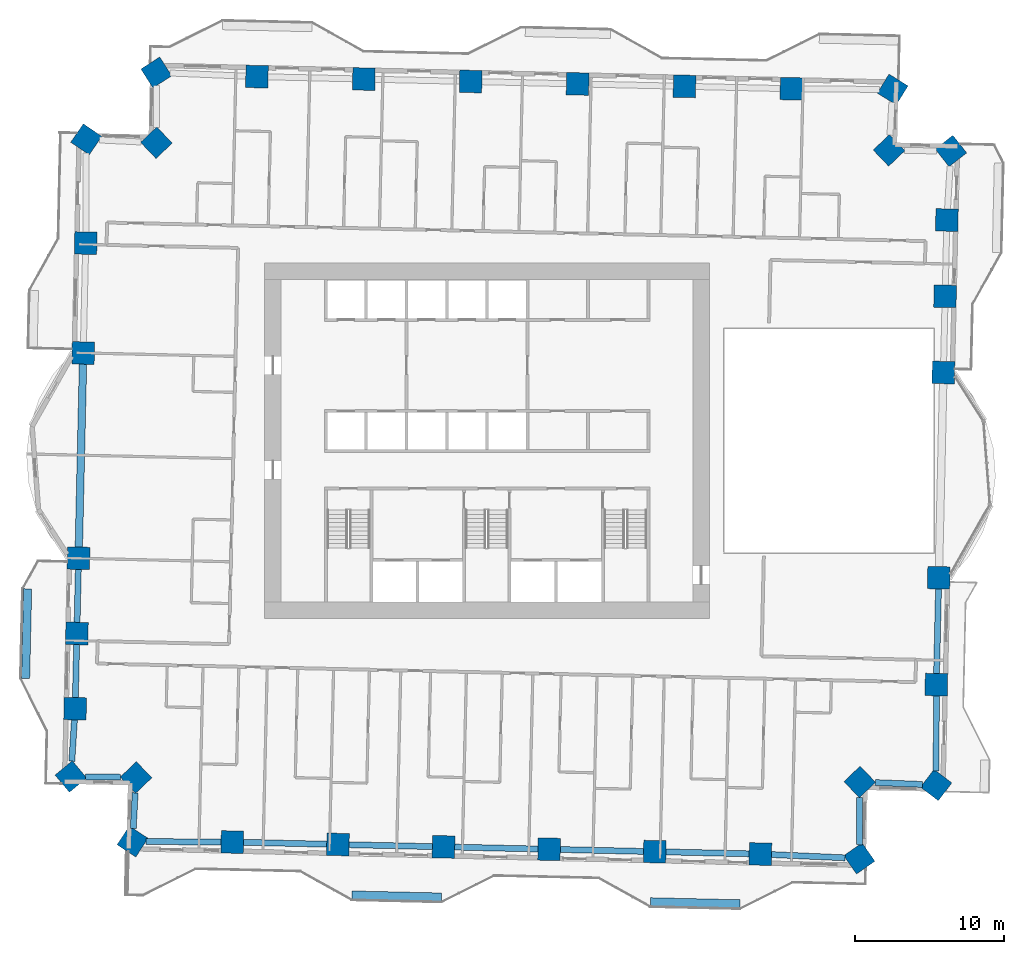
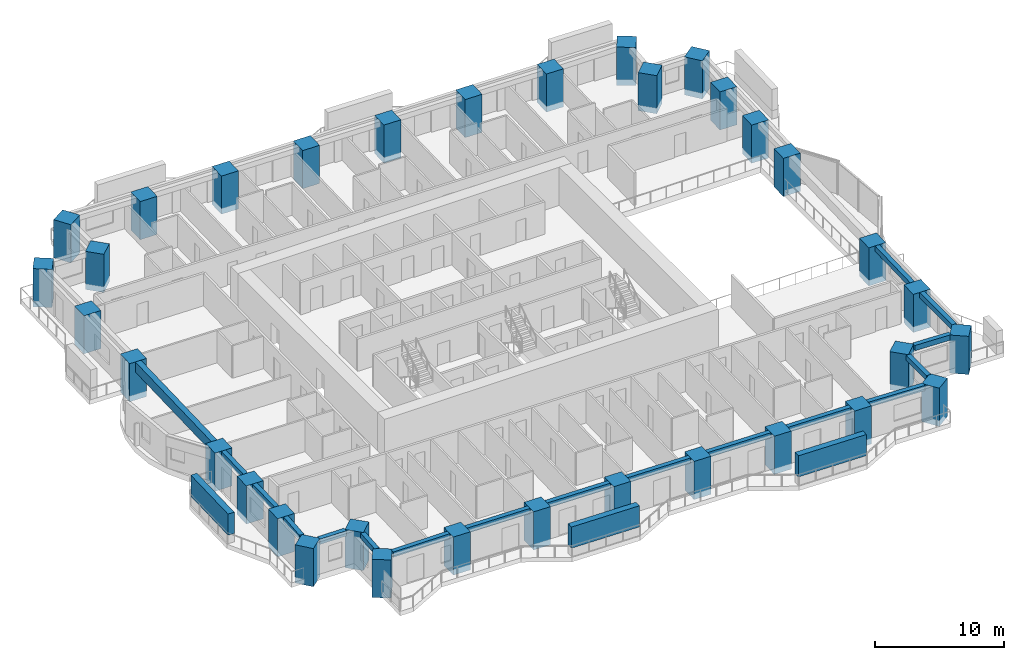
# One storey, part 1 of 18: 34 columns, 17 beams, 3 members.
"""IFC4 building model written with IfcOpenShell, lengths in metres."""

from ifc_helpers import new_model, si_unit, direction, frame, origin, origin_2d, place, context, subcontext, project, spatial, rectangle, extrude, material, material_profile, profile_set, type_object, element, save


model = new_model("IFC4")

# Units and contexts
model_context = context("Model", 3, precision=1e-05, world=origin(), true_north=direction((0.0, 1.0)))
body_context = subcontext(model_context, "Body", "Model", "MODEL_VIEW")
ifc_project = project(units=[si_unit("LENGTHUNIT", "METRE"), si_unit("AREAUNIT", "SQUARE_METRE"), si_unit("VOLUMEUNIT", "CUBIC_METRE"), si_unit("PLANEANGLEUNIT", "RADIAN"), si_unit("MASSUNIT", "GRAM", prefix="KILO")], contexts=[model_context])

# Site, building, storey
site_placement = place(None, origin())
site = spatial("IfcSite", under=ifc_project, at=site_placement, CompositionType="ELEMENT")
building_placement = place(site_placement, origin())
building = spatial("IfcBuilding", under=site, at=building_placement, Name="Mangrove Gate Tower", CompositionType="ELEMENT")
storey_placement = place(building_placement, frame((0.0, 0.0, 56.699951171875)))
storey = spatial("IfcBuildingStorey", under=building, at=storey_placement, Name="L13", CompositionType="ELEMENT", Elevation=56.699951171875)

# Columns
ifc_material_1 = material(Name="Concrete C70/85", Category="concrete")
ifc_material_profile_1 = material_profile(ifc_material_1, rectangle(XDim=1.5, YDim=1.5, at=origin_2d()))
ifc_profile_set_1 = profile_set([ifc_material_profile_1], Name="Concrete C70/85")
column_type = type_object("IfcColumnType", Name="Column RC 1500x1500 C70/85", PredefinedType="COLUMN", material=ifc_profile_set_1)
for number, where, z_axis, x_axis, name in (
    (1, (-27.3662109375, -7.8701171875, -0.550048828125), (0.0, 0.0, 1.0), (-0.022722615033, -0.999741808051, 0.0), "Column L13 W05"),
    (2, (-27.481201171875, -12.909912109375, -0.550048828125), (0.0, 0.0, 1.0), (-0.022712390043, -0.999742040398, 0.0), "Column L13 W06"),
    (3, (-27.59521484375, -17.949951171875, -0.550048828125), (0.0, 0.0, 1.0), (-0.022710139149, -0.999742091532, 0.0), "Column L13 W07"),
    (4, (-27.8837890625, -22.493896484375, -0.550048828125), (0.0, 0.0, 1.0), (0.640243203999, -0.768172272172, 0.0), "Column L13 W08"),
    (5, (-23.518798828125, -22.5546875, -0.550048828125), (0.0, 0.0, 1.0), (0.691018296422, -0.722837266617, 0.0), "Column L13 W09"),
    (6, (-23.74951171875, -26.84423828125, -0.550048828125), (0.0, 0.0, 1.0), (0.837001319642, -0.547200868893, 0.0), "Column L13 S01"),
    (7, (-17.069091796875, -26.88330078125, -0.550048828125), (0.0, 0.0, 1.0), (0.999742746705, -0.022681278839, 0.0), "Column L13 S02"),
    (8, (-9.993896484375, -27.043212890625, -0.550048828125), (0.0, 0.0, 1.0), (0.999742783124, -0.022679673549, 0.0), "Column L13 S03"),
    (9, (-2.9189453125, -27.2041015625, -0.550048828125), (0.0, 0.0, 1.0), (0.999742783124, -0.022679673549, 0.0), "Column L13 S04"),
    (10, (4.156005859375, -27.3642578125, -0.550048828125), (0.0, 0.0, 1.0), (0.999742746705, -0.022681278839, 0.0), "Column L13 S05"),
    (11, (11.22998046875, -27.525146484375, -0.550048828125), (0.0, 0.0, 1.0), (0.999741142154, -0.022751894086, 0.0), "Column L13 S06"),
    (12, (18.304931640625, -27.686279296875, -0.550048828125), (0.0, 0.0, 1.0), (0.999742783124, -0.022679673549, 0.0), "Column L13 S07"),
    (13, (24.9326171875, -27.981689453125, -0.550048828125), (0.0, 0.0, 1.0), (0.819023244747, 0.573760337218, 0.0), "Column L13 S08"),
    (14, (24.962890625, -22.854736328125, -0.550048828125), (0.0, 0.0, 1.0), (0.722904645442, 0.690947808158, 0.0), "Column L13 E01"),
    (15, (30.082275390625, -23.060791015625, -0.550048828125), (0.0, 0.0, 1.0), (0.605733382364, 0.795667687851, 0.0), "Column L13 E02"),
    (16, (30.09228515625, -16.337890625, -0.550048828125), (0.0, 0.0, 1.0), (0.02268810132, 0.9997425919, 0.0), "Column L13 E03"),
    (17, (30.254150390625, -9.177001953125, -0.550048828125), (0.0, 0.0, 1.0), (0.022664929308, 0.999743117495, 0.0), "Column L13 E04"),
    (18, (30.566162109375, 4.570068359375, -0.550048828125), (0.0, 0.0, 1.0), (0.022694906351, 0.999742437444, 0.0), "Column L13 E05"),
    (19, (30.68212890625, 9.677001953125, -0.550048828125), (0.0, 0.0, 1.0), (0.022708062743, 0.999742138697, 0.0), "Column L13 E06"),
    (20, (30.798095703125, 14.783935546875, -0.550048828125), (0.0, 0.0, 1.0), (0.022710278739, 0.999742088361, 0.0), "Column L13 E07"),
    (21, (31.073974609375, 19.409912109375, -0.550048828125), (0.0, 0.0, 1.0), (-0.617420768596, 0.786633074887, 0.0), "Column L13 E08"),
    (22, (26.9228515625, 19.450927734375, -0.550048828125), (0.0, 0.0, 1.0), (-0.69084800058, 0.723000027728, 0.0), "Column L13 E09"),
    (23, (27.166015625, 23.52978515625, -0.550048828125), (0.0, 0.0, 1.0), (-0.85094209372, 0.525259510276, 0.0), "Column L13 N01"),
    (24, (20.383056640625, 23.580078125, -0.550048828125), (0.0, 0.0, 1.0), (-0.999742555864, 0.022689689161, 0.0), "Column L13 N02"),
    (25, (13.222900390625, 23.7431640625, -0.550048828125), (0.0, 0.0, 1.0), (-0.9997425919, 0.02268810132, 0.0), "Column L13 N03"),
    (26, (6.06201171875, 23.9052734375, -0.550048828125), (0.0, 0.0, 1.0), (-0.9997425919, 0.02268810132, 0.0), "Column L13 N04"),
    (27, (-1.097900390625, 24.068115234375, -0.550048828125), (0.0, 0.0, 1.0), (-0.9997425919, 0.02268810132, 0.0), "Column L13 N05"),
    (28, (-8.259033203125, 24.230224609375, -0.550048828125), (0.0, 0.0, 1.0), (-0.9997425919, 0.02268810132, 0.0), "Column L13 N06"),
    (29, (-15.4189453125, 24.393310546875, -0.550048828125), (0.0, 0.0, 1.0), (-0.9997425919, 0.02268810132, 0.0), "Column L13 N07"),
    (30, (-22.15966796875, 24.672607421875, -0.550048828125), (0.0, 0.0, 1.0), (-0.843102323493, -0.537753170256, 0.0), "Column L13 N08"),
    (31, (-22.15380859375, 19.9638671875, -0.550048828125), (0.0, 0.0, 1.0), (-0.722910554479, -0.69094162577, 0.0), "Column L13 W01"),
    (32, (-26.85107421875, 20.191162109375, -0.550048828125), (0.0, 0.0, 1.0), (-0.564977588075, -0.825106250718, 0.0), "Column L13 W02"),
    (33, (-26.88720703125, 13.238037109375, -0.550048828125), (0.0, 0.0, 1.0), (-0.022682831782, -0.999742711472, 0.0), "Column L13 W03"),
    (34, (-27.05419921875, 5.876953125, -0.550048828125), (0.0, 0.0, 1.0), (-0.022686984597, -0.999742617242, 0.0), "Column L13 W04"),
):
    element("IfcColumn", number, at=place(storey_placement, frame(where, z_axis=z_axis, x_axis=x_axis)), inside=storey, type_object=column_type, Name=name, PredefinedType="COLUMN", context=body_context, shape_type="SweptSolid", body=[
        extrude(rectangle(XDim=1.5, YDim=1.5, at=origin_2d()), origin(), (0.0, 0.0, 1.0), 3.60009765625),
    ])

# Members
ifc_material_2 = material(Name="Planting on aluminium trellis", Category="aluminium")
ifc_material_profile_2 = material_profile(ifc_material_2, rectangle(XDim=0.550048828125, YDim=2.0, at=origin_2d()))
ifc_profile_set_2 = profile_set([ifc_material_profile_2], Name="Planting on aluminium trellis")
member_type = type_object("IfcMemberType", Name="Balcony greenery screen 550x2000", PredefinedType="USERDEFINED", material=ifc_profile_set_2)
member_1_placement = place(storey_placement, frame((-30.9150390625, -15.916015625, 1.800048828125), z_axis=(0.022662255828, 0.999743178102, 0.0), x_axis=(-0.999743178102, 0.022662255828, 0.0)))
element("IfcMember", 35, at=member_1_placement, inside=storey, type_object=member_type, Name="GREEN SCREEN L13 W1.1", ObjectType="PLANTING", PredefinedType="USERDEFINED", context=body_context, shape_type="SweptSolid", body=[
    extrude(rectangle(XDim=0.550048828125, YDim=2.0, at=origin_2d()), origin(), (0.0, 0.0, 1.0), 6.00048828125),
])
member_2_placement = place(storey_placement, frame((-9.055908203125, -30.430908203125, 1.800048828125), z_axis=(0.999743073592, -0.022666865795, 0.0), x_axis=(0.022666865795, 0.999743073592, 0.0)))
element("IfcMember", 36, at=member_2_placement, inside=storey, type_object=member_type, Name="GREEN SCREEN L13 S0.1", ObjectType="PLANTING", PredefinedType="USERDEFINED", context=body_context, shape_type="SweptSolid", body=[
    extrude(rectangle(XDim=0.550048828125, YDim=2.0, at=origin_2d()), origin(), (0.0, 0.0, 1.0), 5.999267578125),
])
member_3_placement = place(storey_placement, frame((10.93896484375, -30.884033203125, 1.800048828125), z_axis=(0.999739392852, -0.022828630714, 0.0), x_axis=(0.022828630714, 0.999739392852, 0.0)))
element("IfcMember", 37, at=member_3_placement, inside=storey, type_object=member_type, Name="GREEN SCREEN L13 S1.1", ObjectType="PLANTING", PredefinedType="USERDEFINED", context=body_context, shape_type="SweptSolid", body=[
    extrude(rectangle(XDim=0.550048828125, YDim=2.0, at=origin_2d()), origin(), (0.0, 0.0, 1.0), 5.99951171875),
])

# Beams
ifc_material_3 = material(Name="Concrete C50/60", Category="concrete")
ifc_material_profile_3 = material_profile(ifc_material_3, rectangle(XDim=0.39990234375, YDim=0.5, at=origin_2d()))
ifc_profile_set_3 = profile_set([ifc_material_profile_3], Name="Concrete C50/60")
beam_type_1 = type_object("IfcBeamType", Name="Edge beam RC 400x500 C50/60", PredefinedType="BEAM", material=ifc_profile_set_3)
for number, where, z_axis, x_axis, name in (
    (38, (-27.38330078125, -8.619873046875, 2.800048828125), (-0.02282006784, -0.999739588345, 0.0), (0.999739588345, -0.02282006784, 0.0), "Edge beam L13 00"),
    (39, (-27.498046875, -13.659912109375, 2.800048828125), (-0.022613345678, -0.999744285604, 0.0), (0.999744285604, -0.022613345678, 0.0), "Edge beam L13 01"),
):
    element("IfcBeam", number, at=place(storey_placement, frame(where, z_axis=z_axis, x_axis=x_axis)), inside=storey, type_object=beam_type_1, Name=name, PredefinedType="BEAM", context=body_context, shape_type="SweptSolid", body=[
        extrude(rectangle(XDim=0.39990234375, YDim=0.5, at=origin_2d()), origin(), (0.0, 0.0, 1.0), 3.541259765625),
    ])
beam_1_placement = place(storey_placement, frame((-27.642822265625, -18.69921875, 2.800048828125), z_axis=(-0.063388167278, -0.997988947959, 0.0), x_axis=(0.997988947959, -0.063388167278, 0.0)))
element("IfcBeam", 40, at=beam_1_placement, inside=storey, type_object=beam_type_1, Name="Edge beam L13 02", PredefinedType="BEAM", context=body_context, shape_type="SweptSolid", body=[
    extrude(rectangle(XDim=0.39990234375, YDim=0.5, at=origin_2d()), origin(), (0.0, 0.0, 1.0), 2.769287109375),
])
beam_2_placement = place(storey_placement, frame((-26.89599609375, -22.507568359375, 2.800048828125), z_axis=(0.999902528014, -0.013961893567, 0.0), x_axis=(0.013961893567, 0.999902528014, 0.0)))
element("IfcBeam", 41, at=beam_2_placement, inside=storey, type_object=beam_type_1, Name="Edge beam L13 03", PredefinedType="BEAM", context=body_context, shape_type="SweptSolid", body=[
    extrude(rectangle(XDim=0.39990234375, YDim=0.5, at=origin_2d()), origin(), (0.0, 0.0, 1.0), 2.32568359375),
])
beam_3_placement = place(storey_placement, frame((-23.57421875, -23.582275390625, 2.800048828125), z_axis=(-0.053717540304, -0.99855617061, 0.0), x_axis=(0.99855617061, -0.053717540304, 0.0)))
element("IfcBeam", 42, at=beam_3_placement, inside=storey, type_object=beam_type_1, Name="Edge beam L13 04", PredefinedType="BEAM", context=body_context, shape_type="SweptSolid", body=[
    extrude(rectangle(XDim=0.39990234375, YDim=0.5, at=origin_2d()), origin(), (0.0, 0.0, 1.0), 2.399658203125),
])
beam_4_placement = place(storey_placement, frame((-22.85693359375, -26.849365234375, 2.800048828125), z_axis=(0.99998280823, -0.005863722791, 0.0), x_axis=(0.005863722791, 0.99998280823, 0.0)))
element("IfcBeam", 43, at=beam_4_placement, inside=storey, type_object=beam_type_1, Name="Edge beam L13 05", PredefinedType="BEAM", context=body_context, shape_type="SweptSolid", body=[
    extrude(rectangle(XDim=0.39990234375, YDim=0.5, at=origin_2d()), origin(), (0.0, 0.0, 1.0), 5.037841796875),
])
beam_5_placement = place(storey_placement, frame((-16.319091796875, -26.900146484375, 2.800048828125), z_axis=(0.99974481034, -0.022590134968, 0.0), x_axis=(0.022590134968, 0.99974481034, 0.0)))
element("IfcBeam", 44, at=beam_5_placement, inside=storey, type_object=beam_type_1, Name="Edge beam L13 06", PredefinedType="BEAM", context=body_context, shape_type="SweptSolid", body=[
    extrude(rectangle(XDim=0.39990234375, YDim=0.5, at=origin_2d()), origin(), (0.0, 0.0, 1.0), 5.57666015625),
])
for number, where, z_axis, x_axis, name in (
    (45, (-9.244140625, -27.060302734375, 2.800048828125), (0.999741858145, -0.022720410929, 0.0), (0.022720410929, 0.999741858145, 0.0), "Edge beam L13 07"),
    (46, (-2.169189453125, -27.22119140625, 2.800048828125), (0.99974483268, -0.022589146283, 0.0), (0.022589146283, 0.99974483268, 0.0), "Edge beam L13 08"),
):
    element("IfcBeam", number, at=place(storey_placement, frame(where, z_axis=z_axis, x_axis=x_axis)), inside=storey, type_object=beam_type_1, Name=name, PredefinedType="BEAM", context=body_context, shape_type="SweptSolid", body=[
        extrude(rectangle(XDim=0.39990234375, YDim=0.5, at=origin_2d()), origin(), (0.0, 0.0, 1.0), 5.576904296875),
    ])
beam_6_placement = place(storey_placement, frame((4.90576171875, -27.38134765625, 2.800048828125), z_axis=(0.999741767727, -0.022724389149, 0.0), x_axis=(0.022724389149, 0.999741767727, 0.0)))
element("IfcBeam", 47, at=beam_6_placement, inside=storey, type_object=beam_type_1, Name="Edge beam L13 09", PredefinedType="BEAM", context=body_context, shape_type="SweptSolid", body=[
    extrude(rectangle(XDim=0.39990234375, YDim=0.5, at=origin_2d()), origin(), (0.0, 0.0, 1.0), 5.575927734375),
])
beam_7_placement = place(storey_placement, frame((11.97998046875, -27.542236328125, 2.800048828125), z_axis=(0.99974084012, -0.022765161887, 0.0), x_axis=(0.022765161887, 0.99974084012, 0.0)))
element("IfcBeam", 48, at=beam_7_placement, inside=storey, type_object=beam_type_1, Name="Edge beam L13 10", PredefinedType="BEAM", context=body_context, shape_type="SweptSolid", body=[
    extrude(rectangle(XDim=0.39990234375, YDim=0.5, at=origin_2d()), origin(), (0.0, 0.0, 1.0), 5.57666015625),
])
beam_8_placement = place(storey_placement, frame((19.054443359375, -27.7197265625, 2.800048828125), z_axis=(0.999007314137, -0.044546451056, 0.0), x_axis=(0.044546451056, 0.999007314137, 0.0)))
element("IfcBeam", 49, at=beam_8_placement, inside=storey, type_object=beam_type_1, Name="Edge beam L13 11", PredefinedType="BEAM", context=body_context, shape_type="SweptSolid", body=[
    extrude(rectangle(XDim=0.39990234375, YDim=0.5, at=origin_2d()), origin(), (0.0, 0.0, 1.0), 4.93798828125),
])
beam_9_placement = place(storey_placement, frame((24.93798828125, -27.062255859375, 2.800048828125), z_axis=(0.005864096702, 0.999982806037, 0.0), x_axis=(-0.999982806037, 0.005864096702, 0.0)))
element("IfcBeam", 50, at=beam_9_placement, inside=storey, type_object=beam_type_1, Name="Edge beam L13 12", PredefinedType="BEAM", context=body_context, shape_type="SweptSolid", body=[
    extrude(rectangle(XDim=0.39990234375, YDim=0.5, at=origin_2d()), origin(), (0.0, 0.0, 1.0), 3.1640625),
])
beam_10_placement = place(storey_placement, frame((26.00439453125, -22.896728515625, 2.800048828125), z_axis=(0.999192559953, -0.040177458033, 0.0), x_axis=(0.040177458033, 0.999192559953, 0.0)))
element("IfcBeam", 51, at=beam_10_placement, inside=storey, type_object=beam_type_1, Name="Edge beam L13 13", PredefinedType="BEAM", context=body_context, shape_type="SweptSolid", body=[
    extrude(rectangle(XDim=0.39990234375, YDim=0.5, at=origin_2d()), origin(), (0.0, 0.0, 1.0), 3.165771484375),
])
beam_11_placement = place(storey_placement, frame((30.083740234375, -22.119140625, 2.800048828125), z_axis=(0.001455814442, 0.999998940302, 0.0), x_axis=(-0.999998940302, 0.001455814442, 0.0)))
element("IfcBeam", 52, at=beam_11_placement, inside=storey, type_object=beam_type_1, Name="Edge beam L13 14", PredefinedType="BEAM", context=body_context, shape_type="SweptSolid", body=[
    extrude(rectangle(XDim=0.39990234375, YDim=0.5, at=origin_2d()), origin(), (0.0, 0.0, 1.0), 5.031005859375),
])
beam_12_placement = place(storey_placement, frame((30.109130859375, -15.588134765625, 2.800048828125), z_axis=(0.022634244756, 0.999743812666, 0.0), x_axis=(-0.999743812666, 0.022634244756, 0.0)))
element("IfcBeam", 53, at=beam_12_placement, inside=storey, type_object=beam_type_1, Name="Edge beam L13 15", PredefinedType="BEAM", context=body_context, shape_type="SweptSolid", body=[
    extrude(rectangle(XDim=0.39990234375, YDim=0.5, at=origin_2d()), origin(), (0.0, 0.0, 1.0), 5.662841796875),
])
ifc_material_4 = material(Name="Concrete C50/60", Category="concrete")
ifc_material_profile_4 = material_profile(ifc_material_4, rectangle(XDim=0.5, YDim=0.949951171875, at=origin_2d()))
ifc_profile_set_4 = profile_set([ifc_material_profile_4], Name="Concrete C50/60")
beam_type_2 = type_object("IfcBeamType", Name="Edge beam RC 500x950 C50/60", PredefinedType="BEAM", material=ifc_profile_set_4)
beam_13_placement = place(storey_placement, frame((-27.0712890625, 5.127197265625, 2.574951171875), z_axis=(-0.022679304231, -0.999742791502, 0.0), x_axis=(0.999742791502, -0.022679304231, 0.0)))
element("IfcBeam", 54, at=beam_13_placement, inside=storey, type_object=beam_type_2, Name="Edge beam L13 33", PredefinedType="BEAM", context=body_context, shape_type="SweptSolid", body=[
    extrude(rectangle(XDim=0.5, YDim=0.949951171875, at=origin_2d()), origin(), (0.0, 0.0, 1.0), 12.25048828125),
])

save(model, "model.ifc")
